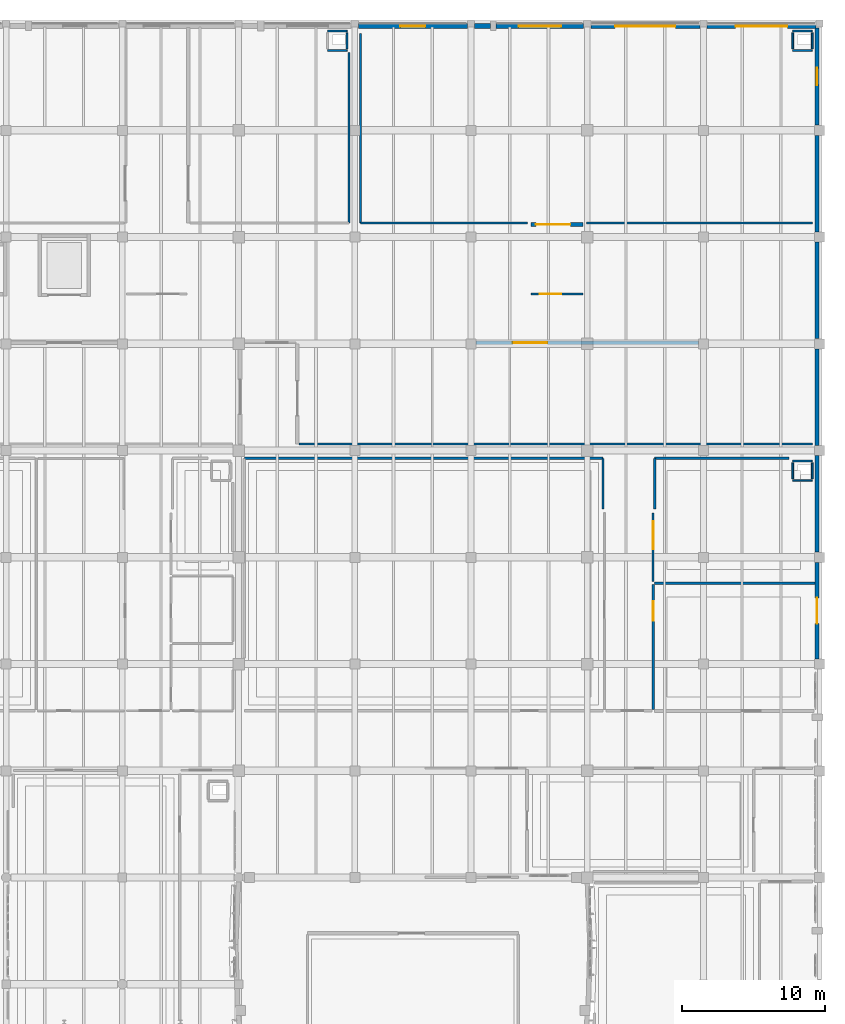
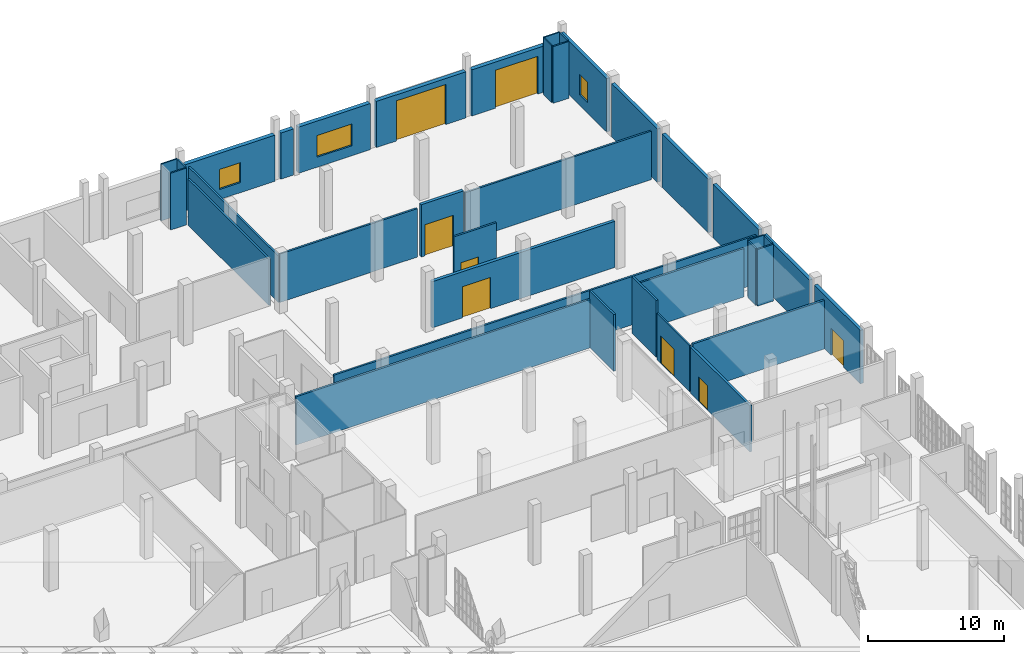
# One storey, part 359 of 372: 37 walls, 8 doors, 3 windows, 11 openings.
"""IFC4 building model written with IfcOpenShell, lengths in metres."""

from ifc_helpers import new_model, si_unit, direction, frame, frame_2d, origin, place, context, subcontext, project, spatial, rectangle, extrude, material, layer, layer_set, type_object, element, fill, save


model = new_model("IFC4")

# Units and contexts
model_context = context("Model", 3, precision=1e-05, world=origin(), true_north=direction((0.0, 1.0)))
body_context = subcontext(model_context, "Body", "Model", "MODEL_VIEW")
ifc_project = project(units=[si_unit("LENGTHUNIT", "METRE"), si_unit("AREAUNIT", "SQUARE_METRE"), si_unit("VOLUMEUNIT", "CUBIC_METRE"), si_unit("PLANEANGLEUNIT", "RADIAN"), si_unit("MASSUNIT", "GRAM", prefix="KILO")], contexts=[model_context])

# Site, building, storey
site_placement = place(None, origin())
site = spatial("IfcSite", under=ifc_project, at=site_placement, CompositionType="ELEMENT")
building_placement = place(site_placement, origin())
building = spatial("IfcBuilding", under=site, at=building_placement, Name="Kaelora Sail Theatre", CompositionType="ELEMENT")
storey_placement = place(building_placement, origin())
storey = spatial("IfcBuildingStorey", under=building, at=storey_placement, Name="L00", CompositionType="ELEMENT", Elevation=0.0)

# Wall
ifc_material_1 = material(Name="Precast concrete C45/55", Category="concrete")
ifc_layer_1 = layer(ifc_material_1, 0.280029296875)
ifc_layer_set_1 = layer_set([ifc_layer_1], Name="Precast concrete C45/55")
wall_type_1 = type_object("IfcWallType", Name="ARC-WL-EW-280", PredefinedType="SOLIDWALL", material=ifc_layer_set_1)
wall_1_placement = place(storey_placement, frame((163.320068359375, 82.985107421875, 0.0), z_axis=(0.0, 0.0, 1.0), x_axis=(0.0, -1.0, 0.0)))
element("IfcWall", 1, at=wall_1_placement, inside=storey, type_object=wall_type_1, Name="Stepped Wing Facade Wall EWAL-FE1-L00N", PredefinedType="SOLIDWALL", context=body_context, shape_type="SweptSolid", body=[
    extrude(rectangle(XDim=6.730224609375, YDim=0.280029296875, at=frame_2d((3.365234375, 0.0))), origin(), (0.0, 0.0, 1.0), 4.787109375),
])

# Wall, opening, door
wall_2_placement = place(storey_placement, frame((163.320068359375, 75.544921875, 0.0), z_axis=(0.0, 0.0, 1.0), x_axis=(0.0, -1.0, 0.0)))
wall_2 = element("IfcWall", 2, at=wall_2_placement, inside=storey, type_object=wall_type_1, Name="Stepped Wing Facade Wall EWAL-FE1-L00S", PredefinedType="SOLIDWALL", context=body_context, shape_type="SweptSolid", body=[
    extrude(rectangle(XDim=6.72998046875, YDim=0.280029296875, at=frame_2d((3.364990234375, 0.0))), origin(), (0.0, 0.0, 1.0), 4.787109375),
])
opening_1_placement = place(wall_2_placement, frame((2.465087890625, 0.0, 0.0)))
opening_1 = element("IfcOpeningElement", 3, at=opening_1_placement, cuts=wall_2, Name="Opening ED-02", PredefinedType="OPENING", context=body_context, shape_type="SweptSolid", body=[
    extrude(rectangle(XDim=1.800048828125, YDim=2.39990234375, at=frame_2d((0.89990234375, 1.199951171875))), frame((0.0, 0.150137, 0.0), z_axis=(0.0, -1.0, 0.0), x_axis=(1.0, 0.0, 0.0)), (0.0, 0.0, 1.0), 0.300029),
])
ifc_material_2 = material(Name="Aluminium glazed double foyer exit door", Category="aluminium")
door_type_1 = type_object("IfcDoorType", Name="ARC-DR-ED-02", OperationType="NOTDEFINED", PredefinedType="DOOR", material=ifc_material_2)
door_1_placement = place(opening_1_placement, origin())
door_1 = element("IfcDoor", 4, at=door_1_placement, inside=storey, type_object=door_type_1, Name="East Foyer Street Exit Door", OperationType="DOUBLE_DOOR_SINGLE_SWING", OverallHeight=2.39990234375, OverallWidth=1.800048828125, PredefinedType="DOOR", context=body_context, shape_type="SweptSolid", body=[
    extrude(rectangle(XDim=1.800048828125, YDim=2.39990234375, at=frame_2d((0.89990234375, 1.199951171875))), frame((0.0, 0.02490234375, 0.0), z_axis=(0.0, -1.0, 0.0), x_axis=(1.0, 0.0, 0.0)), (0.0, 0.0, 1.0), 0.050048828125),
])
fill(opening_1, door_1)

# Walls
for number, where, z_axis, x_axis, name in (
    (5, (163.320068359375, 83.695068359375, 0.0), (0.0, 0.0, 1.0), (0.0, 1.0, 0.0), "Stepped Wing Facade Wall EWAL-NW5-L00-S1"),
    (6, (163.320068359375, 91.135009765625, 0.0), (0.0, 0.0, 1.0), (0.0, 1.0, 0.0), "Stepped Wing Facade Wall EWAL-NW5-L00-S2"),
    (7, (163.320068359375, 98.574951171875, 0.0), (0.0, 0.0, 1.0), (0.0, 1.0, 0.0), "Stepped Wing Facade Wall EWAL-NW5-L00-S3"),
):
    element("IfcWall", number, at=place(storey_placement, frame(where, z_axis=z_axis, x_axis=x_axis)), inside=storey, type_object=wall_type_1, Name=name, PredefinedType="SOLIDWALL", context=body_context, shape_type="SweptSolid", body=[
        extrude(rectangle(XDim=6.72998046875, YDim=0.280029296875, at=frame_2d((3.364990234375, 0.0))), origin(), (0.0, 0.0, 1.0), 4.787109375),
    ])

# Wall, opening, window
wall_3_placement = place(storey_placement, frame((163.320068359375, 106.014892578125, 0.0), z_axis=(0.0, 0.0, 1.0), x_axis=(0.0, 1.0, 0.0)))
wall_3 = element("IfcWall", 8, at=wall_3_placement, inside=storey, type_object=wall_type_1, Name="Stepped Wing Facade Wall EWAL-NW5-L00-S4", PredefinedType="SOLIDWALL", context=body_context, shape_type="SweptSolid", body=[
    extrude(rectangle(XDim=6.78515625, YDim=0.280029296875, at=frame_2d((3.392578125, 0.0))), origin(), (0.0, 0.0, 1.0), 4.787109375),
])
opening_2_placement = place(wall_3_placement, frame((2.7919921875, 0.0, 0.949951171875)))
opening_2 = element("IfcOpeningElement", 9, at=opening_2_placement, cuts=wall_3, Name="Opening W-05", PredefinedType="OPENING", context=body_context, shape_type="SweptSolid", body=[
    extrude(rectangle(XDim=1.199951171875, YDim=1.800048828125, at=frame_2d((0.60009765625, 0.89990234375))), frame((0.0, 0.150137, 0.0), z_axis=(0.0, -1.0, 0.0), x_axis=(1.0, 0.0, 0.0)), (0.0, 0.0, 1.0), 0.300029),
])
ifc_material_3 = material(Name="Thermally broken aluminium and low-E double glazing", Category="aluminium")
window_type_1 = type_object("IfcWindowType", Name="ARC-WIN-W-05", PartitioningType="SINGLE_PANEL", PredefinedType="WINDOW", material=ifc_material_3)
window_1_placement = place(opening_2_placement, origin())
window_1 = element("IfcWindow", 10, at=window_1_placement, inside=storey, type_object=window_type_1, Name="Stepped Wing Window EWAL-NW5-L00-S4", OverallHeight=1.800048828125, OverallWidth=1.199951171875, PartitioningType="SINGLE_PANEL", PredefinedType="WINDOW", context=body_context, shape_type="SweptSolid", body=[
    extrude(rectangle(XDim=1.199951171875, YDim=1.800048828125, at=frame_2d((0.60009765625, 0.89990234375))), frame((0.0, 0.030029296875, 0.0), z_axis=(0.0, -1.0, 0.0), x_axis=(1.0, 0.0, 0.0)), (0.0, 0.0, 1.0), 0.06005859375),
])
fill(opening_2, window_1)

ifc_material_4 = material(Name="Concrete C45/55", Category="concrete")
ifc_layer_2 = layer(ifc_material_4, 0.35009765625)
ifc_layer_set_2 = layer_set([ifc_layer_2], Name="Concrete C45/55")
wall_type_2 = type_object("IfcWallType", Name="ARC-WL-EW-350", PredefinedType="SOLIDWALL", material=ifc_layer_set_2)
wall_4_placement = place(storey_placement, frame((131.35498046875, 112.919921875, 0.0), z_axis=(0.0, 0.0, 1.0), x_axis=(1.0, 0.0, 0.0)))
wall_4 = element("IfcWall", 11, at=wall_4_placement, inside=storey, type_object=wall_type_2, Name="North Conservatory/Production Facade Wall L00 B17", PredefinedType="SOLIDWALL", context=body_context, shape_type="SweptSolid", body=[
    extrude(rectangle(XDim=7.590087890625, YDim=0.35009765625, at=frame_2d((3.794921875, 0.0))), origin(), (0.0, 0.0, 1.0), 4.136962890625),
])
opening_3_placement = place(wall_4_placement, frame((2.919921875, 0.0, 0.89990234375)))
opening_3 = element("IfcOpeningElement", 12, at=opening_3_placement, cuts=wall_4, Name="Opening W-23", PredefinedType="OPENING", context=body_context, shape_type="SweptSolid", body=[
    extrude(rectangle(XDim=1.75, YDim=1.800048828125, at=frame_2d((0.875, 0.89990234375))), frame((0.0, 0.185049, 0.0), z_axis=(0.0, -1.0, 0.0), x_axis=(1.0, 0.0, 0.0)), (0.0, 0.0, 1.0), 0.370098),
])
ifc_material_5 = material(Name="Thermally broken aluminium and low-E double glazing", Category="aluminium")
window_type_2 = type_object("IfcWindowType", Name="ARC-WIN-W-23", PartitioningType="SINGLE_PANEL", PredefinedType="WINDOW", material=ifc_material_5)
window_2_placement = place(opening_3_placement, origin())
window_2 = element("IfcWindow", 13, at=window_2_placement, inside=storey, type_object=window_type_2, Name="North facade window L00 B17", OverallHeight=1.800048828125, OverallWidth=1.75, PartitioningType="SINGLE_PANEL", PredefinedType="WINDOW", context=body_context, shape_type="SweptSolid", body=[
    extrude(rectangle(XDim=1.75, YDim=1.800048828125, at=frame_2d((0.875, 0.89990234375))), frame((0.0, 0.030029296875, 0.0), z_axis=(0.0, -1.0, 0.0), x_axis=(1.0, 0.0, 0.0)), (0.0, 0.0, 1.0), 0.06005859375),
])
fill(opening_3, window_2)

wall_5_placement = place(storey_placement, frame((140.955078125, 112.919921875, 0.0), z_axis=(0.0, 0.0, 1.0), x_axis=(1.0, 0.0, 0.0)))
wall_5 = element("IfcWall", 14, at=wall_5_placement, inside=storey, type_object=wall_type_2, Name="North Conservatory/Production Facade Wall L00 B18", PredefinedType="SOLIDWALL", context=body_context, shape_type="SweptSolid", body=[
    extrude(rectangle(XDim=6.08984375, YDim=0.35009765625, at=frame_2d((3.044921875, 0.0))), origin(), (0.0, 0.0, 1.0), 4.136962890625),
])
opening_4_placement = place(wall_5_placement, frame((1.570068359375, 0.0, 0.89990234375)))
opening_4 = element("IfcOpeningElement", 15, at=opening_4_placement, cuts=wall_5, Name="Opening W-26", PredefinedType="OPENING", context=body_context, shape_type="SweptSolid", body=[
    extrude(rectangle(XDim=2.949951171875, YDim=1.949951171875, at=frame_2d((1.47509765625, 0.97509765625))), frame((0.0, 0.185049, 0.0), z_axis=(0.0, -1.0, 0.0), x_axis=(1.0, 0.0, 0.0)), (0.0, 0.0, 1.0), 0.370098),
])
ifc_material_6 = material(Name="Thermally broken aluminium and low-E double glazing", Category="aluminium")
window_type_3 = type_object("IfcWindowType", Name="ARC-WIN-W-26", PartitioningType="SINGLE_PANEL", PredefinedType="WINDOW", material=ifc_material_6)
window_3_placement = place(opening_4_placement, origin())
window_3 = element("IfcWindow", 16, at=window_3_placement, inside=storey, type_object=window_type_3, Name="North facade window L00 B18", OverallHeight=1.949951171875, OverallWidth=2.949951171875, PartitioningType="SINGLE_PANEL", PredefinedType="WINDOW", context=body_context, shape_type="SweptSolid", body=[
    extrude(rectangle(XDim=2.949951171875, YDim=1.949951171875, at=frame_2d((1.47509765625, 0.97509765625))), frame((0.0, 0.030029296875, 0.0), z_axis=(0.0, -1.0, 0.0), x_axis=(1.0, 0.0, 0.0)), (0.0, 0.0, 1.0), 0.06005859375),
])
fill(opening_4, window_3)

# Wall
wall_6_placement = place(storey_placement, frame((139.455078125, 112.919921875, 0.0), z_axis=(0.0, 0.0, 1.0), x_axis=(1.0, 0.0, 0.0)))
element("IfcWall", 17, at=wall_6_placement, inside=storey, type_object=wall_type_2, Name="North Facade Pilaster Spandrel Pier L00 B18", PredefinedType="SOLIDWALL", context=body_context, shape_type="SweptSolid", body=[
    extrude(rectangle(XDim=1.08984375, YDim=0.35009765625, at=frame_2d((0.544921875, 0.0))), origin(), (0.0, 0.0, 1.0), 4.136962890625),
])

# Wall, opening, door
wall_7_placement = place(storey_placement, frame((147.554931640625, 112.919921875, 0.0), z_axis=(0.0, 0.0, 1.0), x_axis=(1.0, 0.0, 0.0)))
wall_7 = element("IfcWall", 18, at=wall_7_placement, inside=storey, type_object=wall_type_2, Name="North Conservatory/Production Facade Wall L00 B19", PredefinedType="SOLIDWALL", context=body_context, shape_type="SweptSolid", body=[
    extrude(rectangle(XDim=7.590087890625, YDim=0.35009765625, at=frame_2d((3.794921875, 0.0))), origin(), (0.0, 0.0, 1.0), 4.136962890625),
])
opening_5_placement = place(wall_7_placement, frame((1.695068359375, 0.0, 0.0)))
opening_5 = element("IfcOpeningElement", 19, at=opening_5_placement, cuts=wall_7, Name="Opening VD-01", PredefinedType="OPENING", context=body_context, shape_type="SweptSolid", body=[
    extrude(rectangle(XDim=4.199951171875, YDim=3.60009765625, at=frame_2d((2.10009765625, 1.800048828125))), frame((0.0, 0.185049, 0.0), z_axis=(0.0, -1.0, 0.0), x_axis=(1.0, 0.0, 0.0)), (0.0, 0.0, 1.0), 0.370098),
])
ifc_material_7 = material(Name="Insulated motorised scenery dock roller shutter", Category="steel")
door_type_2 = type_object("IfcDoorType", Name="ARC-DR-VD-01", OperationType="NOTDEFINED", PredefinedType="GATE", material=ifc_material_7)
door_2_placement = place(opening_5_placement, origin())
door_2 = element("IfcDoor", 20, at=door_2_placement, inside=storey, type_object=door_type_2, Name="Loading dock roller shutter B19", OperationType="ROLLINGUP", OverallHeight=3.60009765625, OverallWidth=4.199951171875, PredefinedType="GATE", context=body_context, shape_type="SweptSolid", body=[
    extrude(rectangle(XDim=4.199951171875, YDim=3.60009765625, at=frame_2d((2.10009765625, 1.800048828125))), frame((0.0, 0.02490234375, 0.0), z_axis=(0.0, -1.0, 0.0), x_axis=(1.0, 0.0, 0.0)), (0.0, 0.0, 1.0), 0.050048828125),
])
fill(opening_5, door_2)

wall_8_placement = place(storey_placement, frame((155.655029296875, 112.919921875, 0.0), z_axis=(0.0, 0.0, 1.0), x_axis=(1.0, 0.0, 0.0)))
wall_8 = element("IfcWall", 21, at=wall_8_placement, inside=storey, type_object=wall_type_2, Name="North Conservatory/Production Facade Wall L00 B20", PredefinedType="SOLIDWALL", context=body_context, shape_type="SweptSolid", body=[
    extrude(rectangle(XDim=7.590087890625, YDim=0.35009765625, at=frame_2d((3.794921875, 0.0))), origin(), (0.0, 0.0, 1.0), 4.136962890625),
])
opening_6_placement = place(wall_8_placement, frame((1.9951171875, 0.0, 0.0)))
opening_6 = element("IfcOpeningElement", 22, at=opening_6_placement, cuts=wall_8, Name="Opening VD-02", PredefinedType="OPENING", context=body_context, shape_type="SweptSolid", body=[
    extrude(rectangle(XDim=3.60009765625, YDim=3.39990234375, at=frame_2d((1.800048828125, 1.699951171875))), frame((0.0, 0.185049, 0.0), z_axis=(0.0, -1.0, 0.0), x_axis=(1.0, 0.0, 0.0)), (0.0, 0.0, 1.0), 0.370098),
])
ifc_material_8 = material(Name="Insulated workshop freight roller shutter", Category="steel")
door_type_3 = type_object("IfcDoorType", Name="ARC-DR-VD-02", OperationType="NOTDEFINED", PredefinedType="GATE", material=ifc_material_8)
door_3_placement = place(opening_6_placement, origin())
door_3 = element("IfcDoor", 23, at=door_3_placement, inside=storey, type_object=door_type_3, Name="Loading dock roller shutter B20", OperationType="ROLLINGUP", OverallHeight=3.39990234375, OverallWidth=3.60009765625, PredefinedType="GATE", context=body_context, shape_type="SweptSolid", body=[
    extrude(rectangle(XDim=3.60009765625, YDim=3.39990234375, at=frame_2d((1.800048828125, 1.699951171875))), frame((0.0, 0.02490234375, 0.0), z_axis=(0.0, -1.0, 0.0), x_axis=(1.0, 0.0, 0.0)), (0.0, 0.0, 1.0), 0.050048828125),
])
fill(opening_6, door_3)

# Walls
ifc_material_9 = material(Name="Standard metal-stud partition 120 mm", Category="gypsum")
ifc_layer_3 = layer(ifc_material_9, 0.1201171875)
ifc_layer_set_3 = layer_set([ifc_layer_3], Name="Standard metal-stud partition 120 mm")
wall_type_3 = type_object("IfcWallType", Name="ARC-WL-PT-120", PredefinedType="PARTITIONING", material=ifc_layer_set_3)
for number, where, z_axis, x_axis, name in (
    (24, (129.205078125, 111.219970703125, 0.0), (0.0, 0.0, 1.0), (1.0, 0.0, 0.0), "MEP riser shaft wall NW4-L00-S"),
    (25, (129.205078125, 112.580078125, 0.0), (0.0, 0.0, 1.0), (1.0, 0.0, 0.0), "MEP riser shaft wall NW4-L00-N"),
):
    element("IfcWall", number, at=place(storey_placement, frame(where, z_axis=z_axis, x_axis=x_axis)), inside=storey, type_object=wall_type_3, Name=name, PredefinedType="PARTITIONING", context=body_context, shape_type="SweptSolid", body=[
        extrude(rectangle(XDim=1.35986328125, YDim=0.1201171875, at=frame_2d((0.679931640625, 0.0))), origin(), (0.0, 0.0, 1.0), 5.0849609375),
    ])
wall_9_placement = place(storey_placement, frame((130.56494140625, 111.340087890625, 0.0), z_axis=(0.0, 0.0, 1.0), x_axis=(0.0, 1.0, 0.0)))
element("IfcWall", 26, at=wall_9_placement, inside=storey, type_object=wall_type_3, Name="MEP riser shaft wall NW4-L00-E", PredefinedType="PARTITIONING", context=body_context, shape_type="SweptSolid", body=[
    extrude(rectangle(XDim=1.119873046875, YDim=0.1201171875, at=frame_2d((0.56005859375, 0.0))), origin(), (0.0, 0.0, 1.0), 5.0849609375),
])
for number, where, z_axis, x_axis, name in (
    (27, (161.6201171875, 111.219970703125, 0.0), (0.0, 0.0, 1.0), (1.0, 0.0, 0.0), "MEP riser shaft wall NW5-L00-S"),
    (28, (161.6201171875, 112.580078125, 0.0), (0.0, 0.0, 1.0), (1.0, 0.0, 0.0), "MEP riser shaft wall NW5-L00-N"),
):
    element("IfcWall", number, at=place(storey_placement, frame(where, z_axis=z_axis, x_axis=x_axis)), inside=storey, type_object=wall_type_3, Name=name, PredefinedType="PARTITIONING", context=body_context, shape_type="SweptSolid", body=[
        extrude(rectangle(XDim=1.35986328125, YDim=0.1201171875, at=frame_2d((0.679931640625, 0.0))), origin(), (0.0, 0.0, 1.0), 5.0849609375),
    ])
for number, where, z_axis, x_axis, name in (
    (29, (161.6201171875, 111.340087890625, 0.0), (0.0, 0.0, 1.0), (0.0, 1.0, 0.0), "MEP riser shaft wall NW5-L00-W"),
    (30, (162.97998046875, 111.340087890625, 0.0), (0.0, 0.0, 1.0), (0.0, 1.0, 0.0), "MEP riser shaft wall NW5-L00-E"),
):
    element("IfcWall", number, at=place(storey_placement, frame(where, z_axis=z_axis, x_axis=x_axis)), inside=storey, type_object=wall_type_3, Name=name, PredefinedType="PARTITIONING", context=body_context, shape_type="SweptSolid", body=[
        extrude(rectangle(XDim=1.119873046875, YDim=0.1201171875, at=frame_2d((0.56005859375, 0.0))), origin(), (0.0, 0.0, 1.0), 5.0849609375),
    ])
for number, where, z_axis, x_axis, name in (
    (31, (161.6201171875, 81.2451171875, 0.0), (0.0, 0.0, 1.0), (1.0, 0.0, 0.0), "MEP riser shaft wall FE1-L00-S"),
    (32, (161.6201171875, 82.60498046875, 0.0), (0.0, 0.0, 1.0), (1.0, 0.0, 0.0), "MEP riser shaft wall FE1-L00-N"),
):
    element("IfcWall", number, at=place(storey_placement, frame(where, z_axis=z_axis, x_axis=x_axis)), inside=storey, type_object=wall_type_3, Name=name, PredefinedType="PARTITIONING", context=body_context, shape_type="SweptSolid", body=[
        extrude(rectangle(XDim=1.35986328125, YDim=0.1201171875, at=frame_2d((0.679931640625, 0.0))), origin(), (0.0, 0.0, 1.0), 5.0849609375),
    ])
for number, where, z_axis, x_axis, name in (
    (33, (161.6201171875, 81.364990234375, 0.0), (0.0, 0.0, 1.0), (0.0, 1.0, 0.0), "MEP riser shaft wall FE1-L00-W"),
    (34, (162.97998046875, 81.364990234375, 0.0), (0.0, 0.0, 1.0), (0.0, 1.0, 0.0), "MEP riser shaft wall FE1-L00-E"),
):
    element("IfcWall", number, at=place(storey_placement, frame(where, z_axis=z_axis, x_axis=x_axis)), inside=storey, type_object=wall_type_3, Name=name, PredefinedType="PARTITIONING", context=body_context, shape_type="SweptSolid", body=[
        extrude(rectangle(XDim=1.1201171875, YDim=0.1201171875, at=frame_2d((0.56005859375, 0.0))), origin(), (0.0, 0.0, 1.0), 5.0849609375),
    ])

# Wall, opening, door
ifc_material_10 = material(Name="Fire-rated stud partition 140 mm", Category="gypsum")
ifc_layer_4 = layer(ifc_material_10, 0.139892578125)
ifc_layer_set_4 = layer_set([ifc_layer_4], Name="Fire-rated stud partition 140 mm")
wall_type_4 = type_object("IfcWallType", Name="ARC-WL-PT-140", PredefinedType="PARTITIONING", material=ifc_layer_set_4)
wall_10_placement = place(storey_placement, frame((151.89990234375, 74.199951171875, 0.0), z_axis=(0.0, 0.0, 1.0), x_axis=(0.0, 1.0, 0.0)))
wall_10 = element("IfcWall", 35, at=wall_10_placement, inside=storey, type_object=wall_type_4, Name="Interior acoustic partition L00-COR-FCC/L00-FCC", PredefinedType="PARTITIONING", context=body_context, shape_type="SweptSolid", body=[
    extrude(rectangle(XDim=4.800048828125, YDim=0.139892578125, at=frame_2d((2.39990234375, 0.0))), origin(), (0.0, 0.0, 1.0), 4.136962890625),
])
opening_7_placement = place(wall_10_placement, frame((2.27001953125, 0.0, 0.0)))
opening_7 = element("IfcOpeningElement", 36, at=opening_7_placement, cuts=wall_10, Name="Opening ID-10", PredefinedType="OPENING", context=body_context, shape_type="SweptSolid", body=[
    extrude(rectangle(XDim=1.949951171875, YDim=2.449951171875, at=frame_2d((0.97509765625, 1.22509765625))), frame((0.0, 0.079824, 0.0), z_axis=(0.0, -1.0, 0.0), x_axis=(1.0, 0.0, 0.0)), (0.0, 0.0, 1.0), 0.159893),
])
ifc_material_11 = material(Name="Foyer hospitality glazed double door", Category="steel")
door_type_4 = type_object("IfcDoorType", Name="ARC-DR-ID-10", OperationType="NOTDEFINED", PredefinedType="DOOR", material=ifc_material_11)
door_4_placement = place(opening_7_placement, origin())
door_4 = element("IfcDoor", 37, at=door_4_placement, inside=storey, type_object=door_type_4, Name="Interior door L00-COR-FCC to L00-FCC", OperationType="DOUBLE_DOOR_SINGLE_SWING", OverallHeight=2.449951171875, OverallWidth=1.949951171875, PredefinedType="DOOR", context=body_context, shape_type="SweptSolid", body=[
    extrude(rectangle(XDim=1.949951171875, YDim=2.449951171875, at=frame_2d((0.97509765625, 1.22509765625))), frame((0.0, 0.02490234375, 0.0), z_axis=(0.0, -1.0, 0.0), x_axis=(1.0, 0.0, 0.0)), (0.0, 0.0, 1.0), 0.050048828125),
])
fill(opening_7, door_4)

ifc_material_12 = material(Name="Acoustic metal-stud plasterboard 160 mm", Category="gypsum")
ifc_layer_5 = layer(ifc_material_12, 0.159912109375)
ifc_layer_set_5 = layer_set([ifc_layer_5], Name="Acoustic metal-stud plasterboard 160 mm")
wall_type_5 = type_object("IfcWallType", Name="ARC-WL-PT-160", PredefinedType="PARTITIONING", material=ifc_layer_set_5)
wall_11_placement = place(storey_placement, frame((143.39990234375, 94.25, 0.0), z_axis=(0.0, 0.0, 1.0), x_axis=(1.0, 0.0, 0.0)))
wall_11 = element("IfcWall", 38, at=wall_11_placement, inside=storey, type_object=wall_type_5, Name="Interior acoustic partition L00-COR-BOH/L00-COR-SP5", PredefinedType="PARTITIONING", context=body_context, shape_type="SweptSolid", body=[
    extrude(rectangle(XDim=3.60009765625, YDim=0.159912109375, at=frame_2d((1.800048828125, 0.0))), origin(), (0.0, 0.0, 1.0), 4.72705078125),
])
opening_8_placement = place(wall_11_placement, frame((0.580078125, 0.0, 0.0)))
opening_8 = element("IfcOpeningElement", 39, at=opening_8_placement, cuts=wall_11, Name="Opening FD-01", PredefinedType="OPENING", context=body_context, shape_type="SweptSolid", body=[
    extrude(rectangle(XDim=1.5, YDim=2.199951171875, at=frame_2d((0.75, 1.10009765625))), frame((0.0, 0.090078, 0.0), z_axis=(0.0, -1.0, 0.0), x_axis=(1.0, 0.0, 0.0)), (0.0, 0.0, 1.0), 0.179912),
])
ifc_material_13 = material(Name="Acoustic steel double fire door EI 90-C", Category="steel")
door_type_5 = type_object("IfcDoorType", Name="ARC-DR-FD-01", OperationType="NOTDEFINED", PredefinedType="DOOR", material=ifc_material_13)
door_5_placement = place(opening_8_placement, origin())
door_5 = element("IfcDoor", 40, at=door_5_placement, inside=storey, type_object=door_type_5, Name="Interior door L00-COR-BOH to L00-COR-SP5", OperationType="DOUBLE_DOOR_SINGLE_SWING", OverallHeight=2.199951171875, OverallWidth=1.5, PredefinedType="DOOR", context=body_context, shape_type="SweptSolid", body=[
    extrude(rectangle(XDim=1.5, YDim=2.199951171875, at=frame_2d((0.75, 1.10009765625))), frame((0.0, 0.02490234375, 0.0), z_axis=(0.0, -1.0, 0.0), x_axis=(1.0, 0.0, 0.0)), (0.0, 0.0, 1.0), 0.050048828125),
])
fill(opening_8, door_5)

# Walls
wall_12_placement = place(storey_placement, frame((123.39990234375, 82.800048828125, 0.0), z_axis=(0.0, 0.0, 1.0), x_axis=(1.0, 0.0, 0.0)))
element("IfcWall", 41, at=wall_12_placement, inside=storey, type_object=wall_type_5, Name="Room enclosure wall L00-FOY-EAST-N1", PredefinedType="PARTITIONING", context=body_context, shape_type="SweptSolid", body=[
    extrude(rectangle(XDim=25.0, YDim=0.159912109375, at=frame_2d((12.5, 0.0))), origin(), (0.0, 0.0, 1.0), 4.3369140625),
])
wall_13_placement = place(storey_placement, frame((148.39990234375, 79.25, 0.0), z_axis=(0.0, 0.0, 1.0), x_axis=(0.0, 1.0, 0.0)))
element("IfcWall", 42, at=wall_13_placement, inside=storey, type_object=wall_type_5, Name="Room enclosure wall L00-FOY-EAST-E1", PredefinedType="PARTITIONING", context=body_context, shape_type="SweptSolid", body=[
    extrude(rectangle(XDim=3.550048828125, YDim=0.159912109375, at=frame_2d((1.77490234375, 0.0))), origin(), (0.0, 0.0, 1.0), 5.0849609375),
])
wall_14_placement = place(storey_placement, frame((152.0, 82.800048828125, 0.0), z_axis=(0.0, 0.0, 1.0), x_axis=(1.0, 0.0, 0.0)))
element("IfcWall", 43, at=wall_14_placement, inside=storey, type_object=wall_type_5, Name="Room enclosure wall L00-FCC-N1", PredefinedType="PARTITIONING", context=body_context, shape_type="SweptSolid", body=[
    extrude(rectangle(XDim=9.3701171875, YDim=0.159912109375, at=frame_2d((4.68505859375, 0.0))), origin(), (0.0, 0.0, 1.0), 4.3369140625),
])
wall_15_placement = place(storey_placement, frame((152.0, 79.25, 0.0), z_axis=(0.0, 0.0, 1.0), x_axis=(0.0, 1.0, 0.0)))
element("IfcWall", 44, at=wall_15_placement, inside=storey, type_object=wall_type_5, Name="Room enclosure wall L00-FCC-W1", PredefinedType="PARTITIONING", context=body_context, shape_type="SweptSolid", body=[
    extrude(rectangle(XDim=3.550048828125, YDim=0.159912109375, at=frame_2d((1.77490234375, 0.0))), origin(), (0.0, 0.0, 1.0), 5.0849609375),
])
wall_16_placement = place(storey_placement, frame((130.699951171875, 99.199951171875, 0.0), z_axis=(0.0, 0.0, 1.0), x_axis=(0.0, 1.0, 0.0)))
element("IfcWall", 45, at=wall_16_placement, inside=storey, type_object=wall_type_5, Name="Room enclosure wall L00-SCENIC-ENG-E1", PredefinedType="PARTITIONING", context=body_context, shape_type="SweptSolid", body=[
    extrude(rectangle(XDim=11.89013671875, YDim=0.159912109375, at=frame_2d((5.945068359375, 0.0))), origin(), (0.0, 0.0, 1.0), 4.136962890625),
])
wall_17_placement = place(storey_placement, frame((127.199951171875, 83.800048828125, 0.0), z_axis=(0.0, 0.0, 1.0), x_axis=(1.0, 0.0, 0.0)))
element("IfcWall", 46, at=wall_17_placement, inside=storey, type_object=wall_type_5, Name="Room enclosure wall L00-PROP-SHOP-S1", PredefinedType="PARTITIONING", context=body_context, shape_type="SweptSolid", body=[
    extrude(rectangle(XDim=35.800048828125, YDim=0.159912109375, at=frame_2d((17.89990234375, 0.0))), origin(), (0.0, 0.0, 1.0), 4.3369140625),
])
wall_18_placement = place(storey_placement, frame((131.5, 99.199951171875, 0.0), z_axis=(0.0, 0.0, 1.0), x_axis=(1.0, 0.0, 0.0)))
element("IfcWall", 47, at=wall_18_placement, inside=storey, type_object=wall_type_5, Name="Room enclosure wall L00-LOAD-DOCK-S1", PredefinedType="PARTITIONING", context=body_context, shape_type="SweptSolid", body=[
    extrude(rectangle(XDim=11.64990234375, YDim=0.159912109375, at=frame_2d((5.824951171875, 0.0))), origin(), (0.0, 0.0, 1.0), 4.3369140625),
])
wall_19_placement = place(storey_placement, frame((147.25, 99.199951171875, 0.0), z_axis=(0.0, 0.0, 1.0), x_axis=(1.0, 0.0, 0.0)))
element("IfcWall", 48, at=wall_19_placement, inside=storey, type_object=wall_type_5, Name="Room enclosure wall L00-LOAD-DOCK-S2", PredefinedType="PARTITIONING", context=body_context, shape_type="SweptSolid", body=[
    extrude(rectangle(XDim=15.75, YDim=0.159912109375, at=frame_2d((7.875, 0.0))), origin(), (0.0, 0.0, 1.0), 4.3369140625),
])
wall_20_placement = place(storey_placement, frame((131.5, 99.199951171875, 0.0), z_axis=(0.0, 0.0, 1.0), x_axis=(0.0, 1.0, 0.0)))
element("IfcWall", 49, at=wall_20_placement, inside=storey, type_object=wall_type_5, Name="Room enclosure wall L00-LOAD-DOCK-W1", PredefinedType="PARTITIONING", context=body_context, shape_type="SweptSolid", body=[
    extrude(rectangle(XDim=13.199951171875, YDim=0.159912109375, at=frame_2d((6.60009765625, 0.0))), origin(), (0.0, 0.0, 1.0), 4.136962890625),
])
ifc_material_14 = material(Name="Rehearsal double-stud partition 185 mm", Category="gypsum")
ifc_layer_6 = layer(ifc_material_14, 0.18505859375)
ifc_layer_set_6 = layer_set([ifc_layer_6], Name="Rehearsal double-stud partition 185 mm")
wall_type_6 = type_object("IfcWallType", Name="ARC-WL-PT-185", PredefinedType="PARTITIONING", material=ifc_layer_set_6)
wall_21_placement = place(storey_placement, frame((152.0, 74.10009765625, 0.0), z_axis=(0.0, 0.0, 1.0), x_axis=(1.0, 0.0, 0.0)))
element("IfcWall", 50, at=wall_21_placement, inside=storey, type_object=wall_type_6, Name="Interior acoustic partition L00-FIRSTAID/L00-FCC", PredefinedType="PARTITIONING", context=body_context, shape_type="SweptSolid", body=[
    extrude(rectangle(XDim=11.239990234375, YDim=0.18505859375, at=frame_2d((5.6201171875, 0.0))), origin(), (0.0, 0.0, 1.0), 4.3369140625),
])

# Wall, opening, door
ifc_material_15 = material(Name="Acoustic double-stud plasterboard 200 mm", Category="gypsum")
ifc_layer_7 = layer(ifc_material_15, 0.199951171875)
ifc_layer_set_7 = layer_set([ifc_layer_7], Name="Acoustic double-stud plasterboard 200 mm")
wall_type_7 = type_object("IfcWallType", Name="ARC-WL-PT-200", PredefinedType="PARTITIONING", material=ifc_layer_set_7)
wall_22_placement = place(storey_placement, frame((151.89990234375, 65.300048828125, 0.0), z_axis=(0.0, 0.0, 1.0), x_axis=(0.0, 1.0, 0.0)))
wall_22 = element("IfcWall", 51, at=wall_22_placement, inside=storey, type_object=wall_type_7, Name="Interior acoustic partition L00-FIRSTAID/L00-COR-FCC", PredefinedType="PARTITIONING", context=body_context, shape_type="SweptSolid", body=[
    extrude(rectangle(XDim=8.699951171875, YDim=0.199951171875, at=frame_2d((4.35009765625, 0.0))), origin(), (0.0, 0.0, 1.0), 4.136962890625),
])
opening_9_placement = place(wall_22_placement, frame((6.1708984375, 0.0, 0.0)))
opening_9 = element("IfcOpeningElement", 52, at=opening_9_placement, cuts=wall_22, Name="Opening ID-08", PredefinedType="OPENING", context=body_context, shape_type="SweptSolid", body=[
    extrude(rectangle(XDim=1.35009765625, YDim=2.199951171875, at=frame_2d((0.675048828125, 1.10009765625))), frame((0.0, 0.110098, 0.0), z_axis=(0.0, -1.0, 0.0), x_axis=(1.0, 0.0, 0.0)), (0.0, 0.0, 1.0), 0.219951),
])
ifc_material_16 = material(Name="Instrument & libretto leaf-and-a-half door", Category="steel")
door_type_6 = type_object("IfcDoorType", Name="ARC-DR-ID-08", OperationType="NOTDEFINED", PredefinedType="DOOR", material=ifc_material_16)
door_6_placement = place(opening_9_placement, origin())
door_6 = element("IfcDoor", 53, at=door_6_placement, inside=storey, type_object=door_type_6, Name="Interior door L00-FIRSTAID to L00-COR-FCC", OperationType="SINGLE_SWING_LEFT", OverallHeight=2.199951171875, OverallWidth=1.35009765625, PredefinedType="DOOR", context=body_context, shape_type="SweptSolid", body=[
    extrude(rectangle(XDim=1.35009765625, YDim=2.199951171875, at=frame_2d((0.675048828125, 1.10009765625))), frame((0.0, 0.02490234375, 0.0), z_axis=(0.0, -1.0, 0.0), x_axis=(1.0, 0.0, 0.0)), (0.0, 0.0, 1.0), 0.050048828125),
])
fill(opening_9, door_6)

ifc_material_17 = material(Name="Concrete C45/55", Category="concrete")
ifc_layer_8 = layer(ifc_material_17, 0.27001953125)
ifc_layer_set_8 = layer_set([ifc_layer_8], Name="Concrete C45/55")
wall_type_8 = type_object("IfcWallType", Name="ARC-WL-PW-270", PredefinedType="SOLIDWALL", material=ifc_layer_set_8)
wall_23_placement = place(storey_placement, frame((139.554931640625, 90.85009765625, 0.0), z_axis=(0.0, 0.0, 1.0), x_axis=(1.0, 0.0, 0.0)))
wall_23 = element("IfcWall", 54, at=wall_23_placement, inside=storey, type_object=wall_type_8, Name="Interior acoustic partition L00-COR-BOH/L00-PROP-SHOP", PredefinedType="SOLIDWALL", context=body_context, shape_type="SweptSolid", body=[
    extrude(rectangle(XDim=15.489990234375, YDim=0.27001953125, at=frame_2d((7.7451171875, 0.0))), origin(), (0.0, 0.0, 1.0), 4.136962890625),
])
opening_10_placement = place(wall_23_placement, frame((2.568115234375, 0.0, 0.0)))
opening_10 = element("IfcOpeningElement", 55, at=opening_10_placement, cuts=wall_23, Name="Opening ID-05", PredefinedType="OPENING", context=body_context, shape_type="SweptSolid", body=[
    extrude(rectangle(XDim=2.39990234375, YDim=2.800048828125, at=frame_2d((1.199951171875, 1.39990234375))), frame((0.0, 0.14501, 0.0), z_axis=(0.0, -1.0, 0.0), x_axis=(1.0, 0.0, 0.0)), (0.0, 0.0, 1.0), 0.29002),
])
ifc_material_18 = material(Name="Scenery workshop oversize acoustic double door", Category="steel")
door_type_7 = type_object("IfcDoorType", Name="ARC-DR-ID-05", OperationType="NOTDEFINED", PredefinedType="DOOR", material=ifc_material_18)
door_7_placement = place(opening_10_placement, origin())
door_7 = element("IfcDoor", 56, at=door_7_placement, inside=storey, type_object=door_type_7, Name="Interior door L00-COR-BOH to L00-PROP-SHOP", OperationType="DOUBLE_DOOR_SINGLE_SWING", OverallHeight=2.800048828125, OverallWidth=2.39990234375, PredefinedType="DOOR", context=body_context, shape_type="SweptSolid", body=[
    extrude(rectangle(XDim=2.39990234375, YDim=2.800048828125, at=frame_2d((1.199951171875, 1.39990234375))), frame((0.0, 0.02490234375, 0.0), z_axis=(0.0, -1.0, 0.0), x_axis=(1.0, 0.0, 0.0)), (0.0, 0.0, 1.0), 0.050048828125),
])
fill(opening_10, door_7)

wall_24_placement = place(storey_placement, frame((143.39990234375, 99.10009765625, 0.0), z_axis=(0.0, 0.0, 1.0), x_axis=(1.0, 0.0, 0.0)))
wall_24 = element("IfcWall", 57, at=wall_24_placement, inside=storey, type_object=wall_type_8, Name="Interior acoustic partition L00-COR-SP5/L00-LOAD-DOCK", PredefinedType="SOLIDWALL", context=body_context, shape_type="SweptSolid", body=[
    extrude(rectangle(XDim=3.60009765625, YDim=0.27001953125, at=frame_2d((1.800048828125, 0.0))), origin(), (0.0, 0.0, 1.0), 4.68701171875),
])
opening_11_placement = place(wall_24_placement, frame((0.320068359375, 0.0, 0.0)))
opening_11 = element("IfcOpeningElement", 58, at=opening_11_placement, cuts=wall_24, Name="Opening ID-05", PredefinedType="OPENING", context=body_context, shape_type="SweptSolid", body=[
    extrude(rectangle(XDim=2.39990234375, YDim=2.800048828125, at=frame_2d((1.199951171875, 1.39990234375))), frame((0.0, 0.14501, 0.0), z_axis=(0.0, -1.0, 0.0), x_axis=(1.0, 0.0, 0.0)), (0.0, 0.0, 1.0), 0.29002),
])
door_8_placement = place(opening_11_placement, origin())
door_8 = element("IfcDoor", 59, at=door_8_placement, inside=storey, type_object=door_type_7, Name="Interior door L00-COR-SP5 to L00-LOAD-DOCK", OperationType="DOUBLE_DOOR_SINGLE_SWING", OverallHeight=2.800048828125, OverallWidth=2.39990234375, PredefinedType="DOOR", context=body_context, shape_type="SweptSolid", body=[
    extrude(rectangle(XDim=2.39990234375, YDim=2.800048828125, at=frame_2d((1.199951171875, 1.39990234375))), frame((0.0, 0.02490234375, 0.0), z_axis=(0.0, -1.0, 0.0), x_axis=(1.0, 0.0, 0.0)), (0.0, 0.0, 1.0), 0.050048828125),
])
fill(opening_11, door_8)

save(model, "model.ifc")
